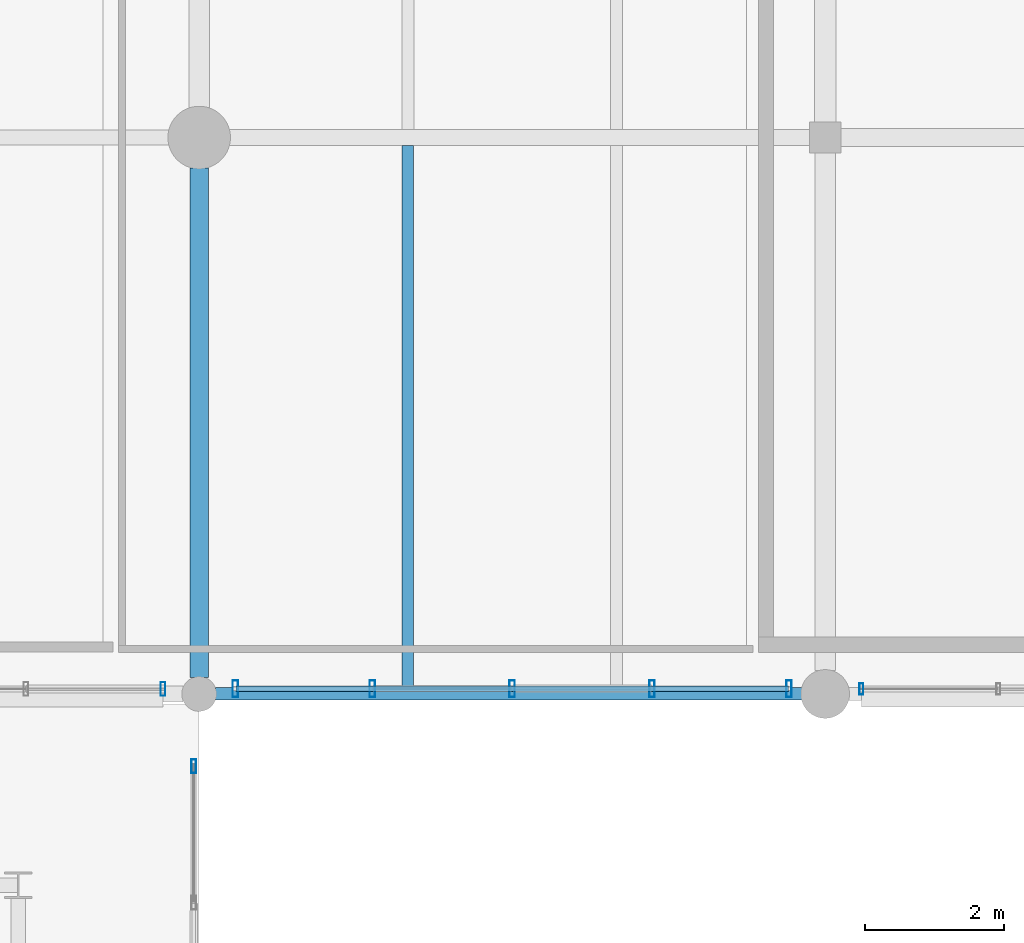
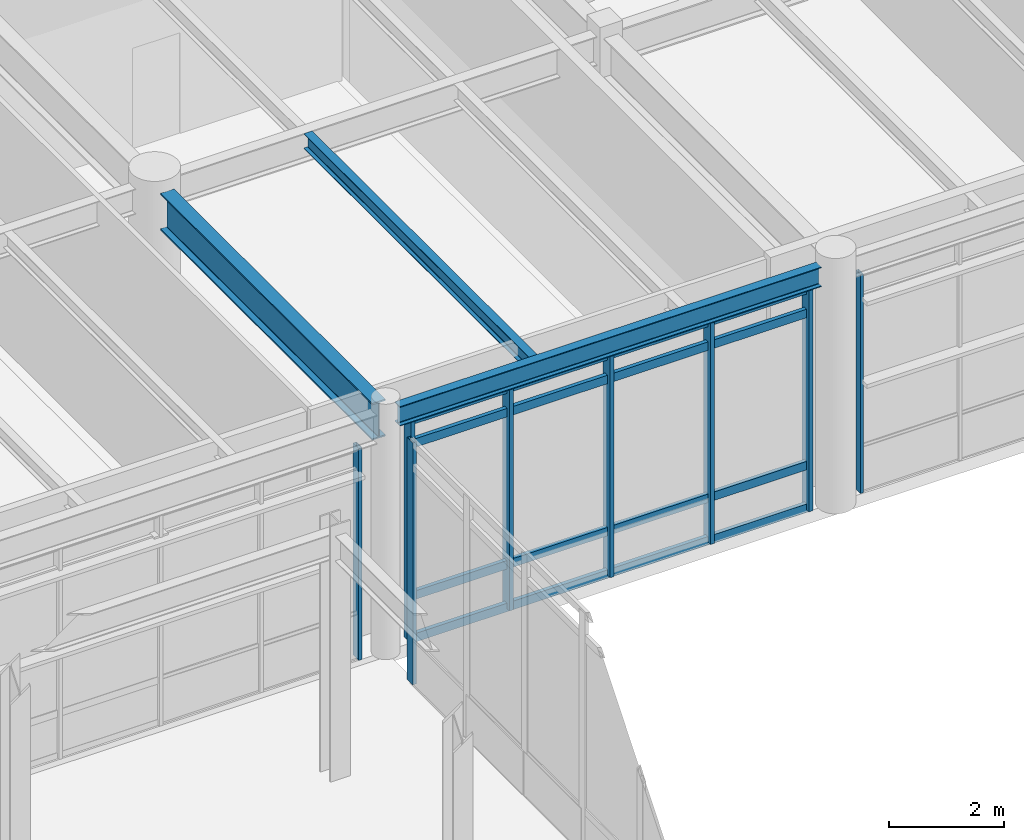
# One storey, part 91 of 203: 12 members, 3 beams, 4 elements without a shape of their own.
"""IFC4 building model written with IfcOpenShell, lengths in metres."""

from ifc_helpers import new_model, si_unit, direction, frame, origin, origin_2d, place, context, subcontext, project, spatial, hollow_rectangle, i_section, extrude, material, material_profile, profile_set, type_object, element, aggregate, save


model = new_model("IFC4")

# Units and contexts
model_context = context("Model", 3, precision=1e-05, world=origin(), true_north=direction((0.0, 1.0)))
body_context = subcontext(model_context, "Body", "Model", "MODEL_VIEW")
ifc_project = project(units=[si_unit("LENGTHUNIT", "METRE"), si_unit("AREAUNIT", "SQUARE_METRE"), si_unit("VOLUMEUNIT", "CUBIC_METRE"), si_unit("PLANEANGLEUNIT", "RADIAN"), si_unit("MASSUNIT", "GRAM", prefix="KILO"), si_unit("THERMODYNAMICTEMPERATUREUNIT", "KELVIN"), si_unit("POWERUNIT", "WATT")], contexts=[model_context])

# Site, building, storey
site_placement = place(None, origin())
site = spatial("IfcSite", under=ifc_project, at=site_placement, CompositionType="ELEMENT")
building_placement = place(site_placement, origin())
building = spatial("IfcBuilding", under=site, at=building_placement, Name="Tepalcoro Natatorium and Aquatics Centre", CompositionType="ELEMENT")
storey_placement = place(building_placement, origin())
storey = spatial("IfcBuildingStorey", under=building, at=storey_placement, Name="L00", CompositionType="ELEMENT", Elevation=0.0)

# Beam
ifc_material_1 = material(Name="Steel ASTM A992 Grade 50 (Fy 345 MPa)", Category="steel")
ifc_material_profile_1 = material_profile(ifc_material_1, i_section(OverallWidth=0.26708984375, OverallDepth=0.780029296875, WebThickness=0.01708984375, FlangeThickness=0.030029296875, FilletRadius=0.013916015625, at=origin_2d()), Name="W30X148")
ifc_profile_set_1 = profile_set([ifc_material_profile_1], Name="Steel ASTM A992 Grade 50 (Fy 345 MPa)")
beam_type_1 = type_object("IfcBeamType", Name="BM_W30x148", PredefinedType="BEAM", material=ifc_profile_set_1)
beam_1_placement = place(storey_placement, frame((71.0, 86.235107421875, 4.7548828125), z_axis=(0.0, 1.0, 0.0), x_axis=(-1.0, 0.0, 0.0)))
element("IfcBeam", 1, at=beam_1_placement, inside=storey, type_object=beam_type_1, Name="V4 L00 Grid Girder Y", PredefinedType="BEAM", context=body_context, shape_type="SweptSolid", body=[
    extrude(i_section(OverallWidth=0.26708984375, OverallDepth=0.780029296875, WebThickness=0.01708984375, FlangeThickness=0.030029296875, FilletRadius=0.013916015625, at=origin_2d()), origin(), (0.0, 0.0, 1.0), 7.329833984375),
])

# Curtain wall, member
ifc_material_2 = material(Name="Bronze-Anodised Extruded Aluminium Alloy EN AW-6063 T6", Category="aluminium")
curtain_wall_type_1 = type_object("IfcCurtainWallType", Name="CW_LEAN_T2_EW", PredefinedType="USERDEFINED", material=ifc_material_2)
curtain_wall_1_placement = place(storey_placement, origin())
curtain_wall_1 = element("IfcCurtainWall", 2, at=curtain_wall_1_placement, inside=storey, type_object=curtain_wall_type_1, Name="V4 L00 S Unitised Curtain Wall Bay 9", ObjectType="FACETED SOLAR GLAZING", PredefinedType="USERDEFINED")
ifc_material_profile_2 = material_profile(ifc_material_2, hollow_rectangle(XDim=0.06005859375, YDim=0.159912109375, WallThickness=0.00390625, at=origin_2d()), Name="AL60X160X4")
ifc_profile_set_2 = profile_set([ifc_material_profile_2], Name="Bronze-Anodised Extruded Aluminium Alloy EN AW-6063 T6")
member_type_1 = type_object("IfcMemberType", Name="CW_MUL_60x160", PredefinedType="MULLION", material=ifc_profile_set_2)
member_1_placement = place(storey_placement, frame((80.52001953125, 86.0712890625, 0.02001953125), z_axis=(0.0, 0.0, 1.0), x_axis=(1.0, 0.0, 0.0)))
member_1 = element("IfcMember", 3, at=member_1_placement, type_object=member_type_1, Name="CW_LEAN_T2_EW Curtain Wall Mullion", PredefinedType="MULLION", context=body_context, shape_type="SweptSolid", body=[
    extrude(hollow_rectangle(XDim=0.06005859375, YDim=0.159912109375, WallThickness=0.00390625, at=origin_2d()), origin(), (0.0, 0.0, 1.0), 4.6298828125),
])
aggregate(curtain_wall_1, [member_1])

curtain_wall_type_2 = type_object("IfcCurtainWallType", Name="CW_LEAN_T1_EW", PredefinedType="USERDEFINED", material=ifc_material_2)
curtain_wall_2_placement = place(storey_placement, origin())
curtain_wall_2 = element("IfcCurtainWall", 4, at=curtain_wall_2_placement, inside=storey, type_object=curtain_wall_type_2, Name="V4 L00 S Unitised Curtain Wall Bay 7", ObjectType="FACETED SOLAR GLAZING", PredefinedType="USERDEFINED")
ifc_material_profile_3 = material_profile(ifc_material_2, hollow_rectangle(XDim=0.070068359375, YDim=0.199951171875, WallThickness=0.0048828125, at=origin_2d()), Name="AL70X200X5")
ifc_profile_set_3 = profile_set([ifc_material_profile_3], Name="Bronze-Anodised Extruded Aluminium Alloy EN AW-6063 T6")
member_type_2 = type_object("IfcMemberType", Name="CW_MUL_70x200", PredefinedType="MULLION", material=ifc_profile_set_3)
member_2_placement = place(storey_placement, frame((70.47998046875, 86.0712890625, 0.02001953125), z_axis=(0.0, 0.0, 1.0), x_axis=(1.0, 0.0, 0.0)))
member_2 = element("IfcMember", 5, at=member_2_placement, type_object=member_type_2, Name="CW_LEAN_T1_EW Curtain Wall Mullion", PredefinedType="MULLION", context=body_context, shape_type="SweptSolid", body=[
    extrude(hollow_rectangle(XDim=0.070068359375, YDim=0.199951171875, WallThickness=0.0048828125, at=origin_2d()), origin(), (0.0, 0.0, 1.0), 4.47802734375),
])
aggregate(curtain_wall_2, [member_2])

curtain_wall_type_3 = type_object("IfcCurtainWallType", Name="CW_LINK_150", PredefinedType="USERDEFINED", material=ifc_material_2)
curtain_wall_3_placement = place(storey_placement, origin())
curtain_wall_3 = element("IfcCurtainWall", 6, at=curtain_wall_3_placement, inside=storey, type_object=curtain_wall_type_3, Name="West Court Swimmers Arcade Glazed Wall E L00", ObjectType="UNITISED STOREFRONT", PredefinedType="USERDEFINED")
member_3_placement = place(storey_placement, frame((70.919921875, 84.9599609375, 0.02001953125), z_axis=(0.0, 0.0, 1.0), x_axis=(1.0, 0.0, 0.0)))
member_3 = element("IfcMember", 7, at=member_3_placement, type_object=member_type_2, Name="CW_LINK_150 Curtain Wall Mullion", PredefinedType="MULLION", context=body_context, shape_type="SweptSolid", body=[
    extrude(hollow_rectangle(XDim=0.070068359375, YDim=0.199951171875, WallThickness=0.0048828125, at=origin_2d()), origin(), (0.0, 0.0, 1.0), 5.119873046875),
])
aggregate(curtain_wall_3, [member_3])

# Curtain wall, members
curtain_wall_type_4 = type_object("IfcCurtainWallType", Name="CW_LEAN_T2_NS", PredefinedType="USERDEFINED", material=ifc_material_2)
curtain_wall_4_placement = place(storey_placement, origin())
curtain_wall_4 = element("IfcCurtainWall", 8, at=curtain_wall_4_placement, inside=storey, type_object=curtain_wall_type_4, Name="V4 L00 S Unitised Curtain Wall Bay 8", ObjectType="FACETED SOLAR GLAZING", PredefinedType="USERDEFINED")
ifc_material_profile_4 = material_profile(ifc_material_2, hollow_rectangle(XDim=0.080078125, YDim=0.239990234375, WallThickness=0.0048828125, at=origin_2d()), Name="AL80X240X5")
ifc_profile_set_4 = profile_set([ifc_material_profile_4], Name="Bronze-Anodised Extruded Aluminium Alloy EN AW-6063 T6")
member_type_3 = type_object("IfcMemberType", Name="CW_MUL_80x240", PredefinedType="MULLION", material=ifc_profile_set_4)
member_4_placement = place(storey_placement, frame((71.52001953125, 86.076171875, 0.02001953125), z_axis=(0.0, 0.0, 1.0), x_axis=(1.0, 0.0, 0.0)))
member_4 = element("IfcMember", 9, at=member_4_placement, type_object=member_type_3, Name="CW_LEAN_T2_NS Curtain Wall Mullion", PredefinedType="MULLION", context=body_context, shape_type="SweptSolid", body=[
    extrude(hollow_rectangle(XDim=0.080078125, YDim=0.239990234375, WallThickness=0.0048828125, at=origin_2d()), origin(), (0.0, 0.0, 1.0), 4.677001953125),
])
member_5_placement = place(storey_placement, frame((73.489990234375, 86.076171875, 0.02001953125), z_axis=(0.0, 0.0, 1.0), x_axis=(1.0, 0.0, 0.0)))
member_5 = element("IfcMember", 10, at=member_5_placement, type_object=member_type_3, Name="CW_LEAN_T2_NS Curtain Wall Mullion", PredefinedType="MULLION", context=body_context, shape_type="SweptSolid", body=[
    extrude(hollow_rectangle(XDim=0.080078125, YDim=0.239990234375, WallThickness=0.0048828125, at=origin_2d()), origin(), (0.0, 0.0, 1.0), 4.677001953125),
])
member_6_placement = place(storey_placement, frame((75.5, 86.076171875, 0.02001953125), z_axis=(0.0, 0.0, 1.0), x_axis=(1.0, 0.0, 0.0)))
member_6 = element("IfcMember", 11, at=member_6_placement, type_object=member_type_3, Name="CW_LEAN_T2_NS Curtain Wall Mullion", PredefinedType="MULLION", context=body_context, shape_type="SweptSolid", body=[
    extrude(hollow_rectangle(XDim=0.080078125, YDim=0.239990234375, WallThickness=0.0048828125, at=origin_2d()), origin(), (0.0, 0.0, 1.0), 4.677001953125),
])
member_7_placement = place(storey_placement, frame((77.510009765625, 86.076171875, 0.02001953125), z_axis=(0.0, 0.0, 1.0), x_axis=(1.0, 0.0, 0.0)))
member_7 = element("IfcMember", 12, at=member_7_placement, type_object=member_type_3, Name="CW_LEAN_T2_NS Curtain Wall Mullion", PredefinedType="MULLION", context=body_context, shape_type="SweptSolid", body=[
    extrude(hollow_rectangle(XDim=0.080078125, YDim=0.239990234375, WallThickness=0.0048828125, at=origin_2d()), origin(), (0.0, 0.0, 1.0), 4.677001953125),
])
member_8_placement = place(storey_placement, frame((79.47998046875, 86.076171875, 0.02001953125), z_axis=(0.0, 0.0, 1.0), x_axis=(1.0, 0.0, 0.0)))
member_8 = element("IfcMember", 13, at=member_8_placement, type_object=member_type_3, Name="CW_LEAN_T2_NS Curtain Wall Mullion", PredefinedType="MULLION", context=body_context, shape_type="SweptSolid", body=[
    extrude(hollow_rectangle(XDim=0.080078125, YDim=0.239990234375, WallThickness=0.0048828125, at=origin_2d()), origin(), (0.0, 0.0, 1.0), 4.677001953125),
])
ifc_material_profile_5 = material_profile(ifc_material_2, hollow_rectangle(XDim=0.080078125, YDim=0.179931640625, WallThickness=0.0048828125, at=origin_2d()), Name="AL80X180X5")
ifc_profile_set_5 = profile_set([ifc_material_profile_5], Name="Bronze-Anodised Extruded Aluminium Alloy EN AW-6063 T6")
member_type_4 = type_object("IfcMemberType", Name="CW_TRN_80x180", PredefinedType="USERDEFINED", material=ifc_profile_set_5)
member_9_placement = place(storey_placement, frame((71.530029296875, 86.076171875, 0.050048828125), z_axis=(1.0, 0.0, 0.0), x_axis=(0.0, 1.0, 0.0)))
member_9 = element("IfcMember", 14, at=member_9_placement, type_object=member_type_4, Name="CW_LEAN_T2_NS Curtain Wall Transom", ObjectType="TRANSOM", PredefinedType="USERDEFINED", context=body_context, shape_type="SweptSolid", body=[
    extrude(hollow_rectangle(XDim=0.080078125, YDim=0.179931640625, WallThickness=0.0048828125, at=origin_2d()), origin(), (0.0, 0.0, 1.0), 7.93994140625),
])
member_10_placement = place(storey_placement, frame((71.530029296875, 86.076171875, 0.949951171875), z_axis=(1.0, 0.0, 0.0), x_axis=(0.0, 1.0, 0.0)))
member_10 = element("IfcMember", 15, at=member_10_placement, type_object=member_type_4, Name="CW_LEAN_T2_NS Curtain Wall Transom", ObjectType="TRANSOM", PredefinedType="USERDEFINED", context=body_context, shape_type="SweptSolid", body=[
    extrude(hollow_rectangle(XDim=0.080078125, YDim=0.179931640625, WallThickness=0.0048828125, at=origin_2d()), origin(), (0.0, 0.0, 1.0), 7.93994140625),
])
member_11_placement = place(storey_placement, frame((71.530029296875, 86.076171875, 4.1669921875), z_axis=(1.0, 0.0, 0.0), x_axis=(0.0, 1.0, 0.0)))
member_11 = element("IfcMember", 16, at=member_11_placement, type_object=member_type_4, Name="CW_LEAN_T2_NS Curtain Wall Transom", ObjectType="TRANSOM", PredefinedType="USERDEFINED", context=body_context, shape_type="SweptSolid", body=[
    extrude(hollow_rectangle(XDim=0.080078125, YDim=0.179931640625, WallThickness=0.0048828125, at=origin_2d()), origin(), (0.0, 0.0, 1.0), 7.93994140625),
])
member_12_placement = place(storey_placement, frame((71.530029296875, 86.076171875, 4.6669921875), z_axis=(1.0, 0.0, 0.0), x_axis=(0.0, 1.0, 0.0)))
member_12 = element("IfcMember", 17, at=member_12_placement, type_object=member_type_4, Name="CW_LEAN_T2_NS Curtain Wall Transom", ObjectType="TRANSOM", PredefinedType="USERDEFINED", context=body_context, shape_type="SweptSolid", body=[
    extrude(hollow_rectangle(XDim=0.080078125, YDim=0.179931640625, WallThickness=0.0048828125, at=origin_2d()), origin(), (0.0, 0.0, 1.0), 7.93994140625),
])
aggregate(curtain_wall_4, [member_4, member_5, member_6, member_7, member_8, member_9, member_10, member_11, member_12])

# Beams
ifc_material_profile_6 = material_profile(ifc_material_1, i_section(OverallWidth=0.1669921875, OverallDepth=0.318115234375, WebThickness=0.008056640625, FlangeThickness=0.012939453125, FilletRadius=0.013916015625, at=origin_2d()), Name="W12X35")
ifc_profile_set_6 = profile_set([ifc_material_profile_6], Name="Steel ASTM A992 Grade 50 (Fy 345 MPa)")
beam_type_2 = type_object("IfcBeamType", Name="JS_W12x35", PredefinedType="JOIST", material=ifc_profile_set_6)
beam_2_placement = place(storey_placement, frame((74.0, 86.090087890625, 4.986083984375), z_axis=(0.0, 1.0, 0.0), x_axis=(-1.0, 0.0, 0.0)))
element("IfcBeam", 18, at=beam_2_placement, inside=storey, type_object=beam_type_2, Name="V4 L00 Floor Joist", PredefinedType="JOIST", context=body_context, shape_type="SweptSolid", body=[
    extrude(i_section(OverallWidth=0.1669921875, OverallDepth=0.318115234375, WebThickness=0.008056640625, FlangeThickness=0.012939453125, FilletRadius=0.013916015625, at=origin_2d()), origin(), (0.0, 0.0, 1.0), 7.794921875),
])
ifc_material_profile_7 = material_profile(ifc_material_1, i_section(OverallWidth=0.179931640625, OverallDepth=0.4130859375, WebThickness=0.010009765625, FlangeThickness=0.01611328125, FilletRadius=0.013916015625, at=origin_2d()), Name="W16X50")
ifc_profile_set_7 = profile_set([ifc_material_profile_7], Name="Steel ASTM A992 Grade 50 (Fy 345 MPa)")
beam_type_3 = type_object("IfcBeamType", Name="SP_HSS300x200x12", PredefinedType="SPANDREL", material=ifc_profile_set_7)
beam_3_placement = place(storey_placement, frame((71.235107421875, 86.0, 4.9384765625), z_axis=(1.0, 0.0, 0.0), x_axis=(0.0, 1.0, 0.0)))
element("IfcBeam", 19, at=beam_3_placement, inside=storey, type_object=beam_type_3, Name="V4 L00 Grid Girder X", PredefinedType="SPANDREL", context=body_context, shape_type="SweptSolid", body=[
    extrude(i_section(OverallWidth=0.179931640625, OverallDepth=0.4130859375, WebThickness=0.010009765625, FlangeThickness=0.01611328125, FilletRadius=0.013916015625, at=origin_2d()), origin(), (0.0, 0.0, 1.0), 8.429931640625),
])

save(model, "model.ifc")
